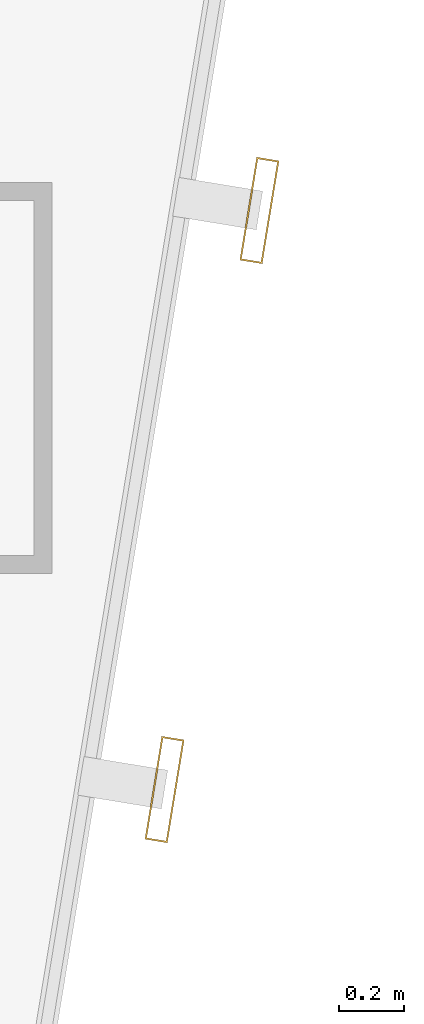
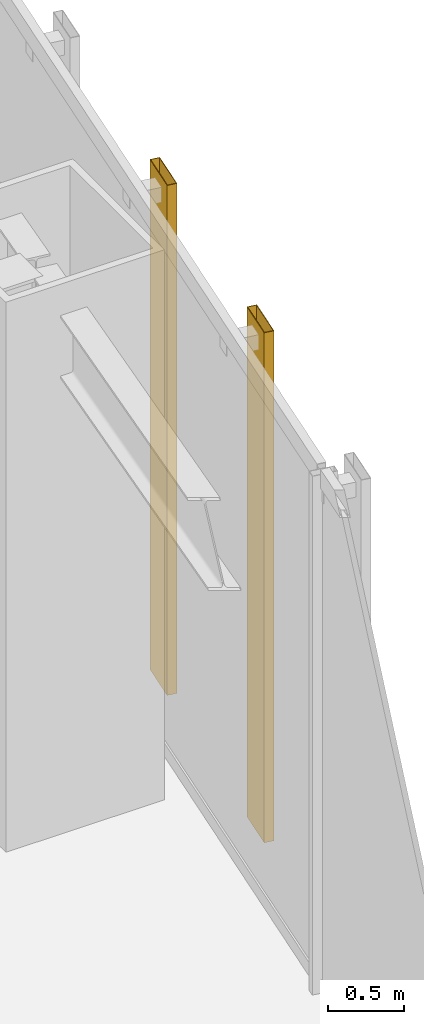
# One storey, part 45 of 47: 2 shading devices.
"""IFC4 building model written with IfcOpenShell, lengths in metres."""

from ifc_helpers import new_model, si_unit, direction, frame, origin, origin_2d, place, context, subcontext, project, spatial, hollow_rectangle, extrude, material, material_profile, profile_set, type_object, element, save


model = new_model("IFC4")

# Units and contexts
model_context = context("Model", 3, precision=1e-05, world=origin(), true_north=direction((0.0, 1.0)))
body_context = subcontext(model_context, "Body", "Model", "MODEL_VIEW")
ifc_project = project(units=[si_unit("LENGTHUNIT", "METRE"), si_unit("AREAUNIT", "SQUARE_METRE"), si_unit("VOLUMEUNIT", "CUBIC_METRE"), si_unit("PLANEANGLEUNIT", "RADIAN"), si_unit("MASSUNIT", "GRAM", prefix="KILO")], contexts=[model_context])

# Site, building, storey
site_placement = place(None, origin())
site = spatial("IfcSite", under=ifc_project, at=site_placement, CompositionType="ELEMENT")
building_placement = place(site_placement, origin())
building = spatial("IfcBuilding", under=site, at=building_placement, Name="Saevonmaru Cultural Tower", CompositionType="ELEMENT")
storey_placement = place(building_placement, frame((0.0, 0.0, 78.0)))
storey = spatial("IfcBuildingStorey", under=building, at=storey_placement, Name="L16", CompositionType="ELEMENT", Elevation=78.0)

# Shading devices
ifc_material = material(Name="Satin Bronze Anodised Aluminium", Category="aluminium")
ifc_material_profile = material_profile(ifc_material, hollow_rectangle(XDim=0.070068359375, YDim=0.320068359375, WallThickness=0.0048828125, at=origin_2d()), Name="FIN-320x70")
ifc_profile_set = profile_set([ifc_material_profile], Name="Satin Bronze Anodised Aluminium")
shading_device_type = type_object("IfcShadingDeviceType", Name="SHD-FIN-320", PredefinedType="JALOUSIE", material=ifc_profile_set)
for number, where, z_axis, x_axis, name in (
    (1, (52.6279296875, 30.737548828125, 0.050048828125), (0.0, 0.0, 1.0), (0.986827496189, -0.161776057456, 0.0), "L16 Art Deco Sawtooth Bronze Fin E8-15"),
    (2, (52.9189453125, 32.513916015625, 0.050048828125), (0.0, 0.0, 1.0), (0.986827496189, -0.161776057456, 0.0), "L16 Art Deco Sawtooth Bronze Fin E8-16"),
):
    element("IfcShadingDevice", number, at=place(storey_placement, frame(where, z_axis=z_axis, x_axis=x_axis)), inside=storey, type_object=shading_device_type, Name=name, PredefinedType="JALOUSIE", context=body_context, shape_type="SweptSolid", body=[
        extrude(hollow_rectangle(XDim=0.070068359375, YDim=0.320068359375, WallThickness=0.0048828125, at=origin_2d()), origin(), (0.0, 0.0, 1.0), 4.079833984375),
    ])

save(model, "model.ifc")
